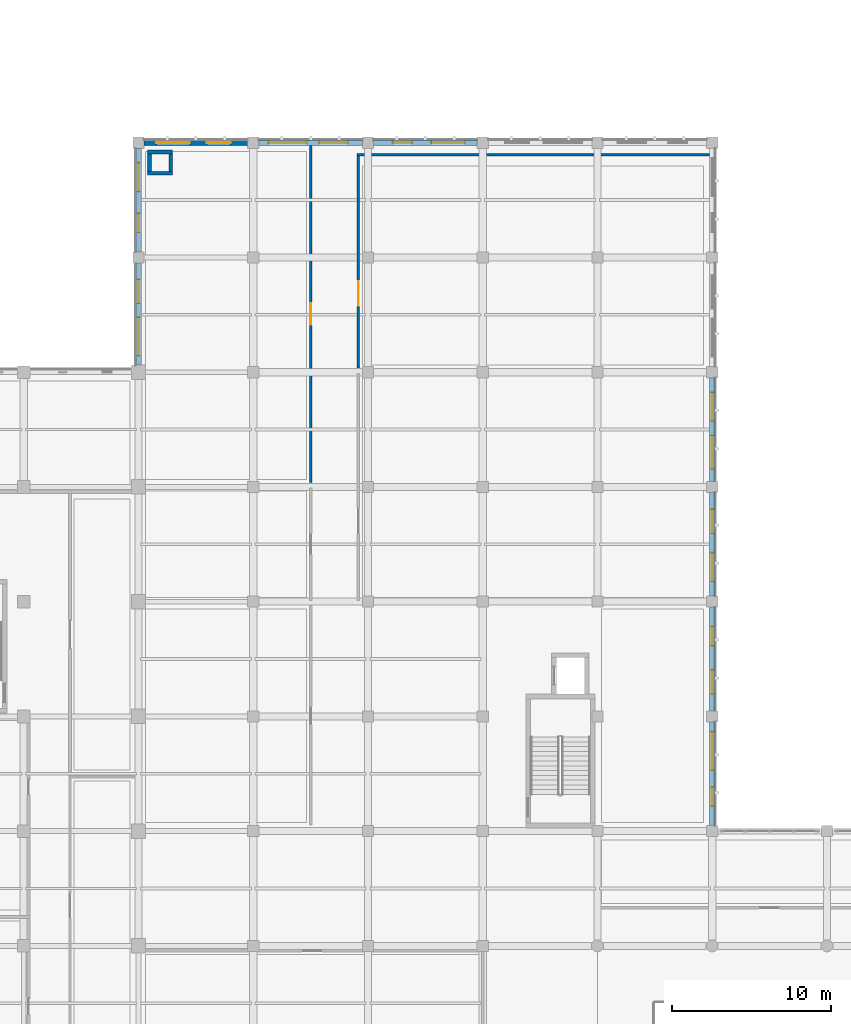
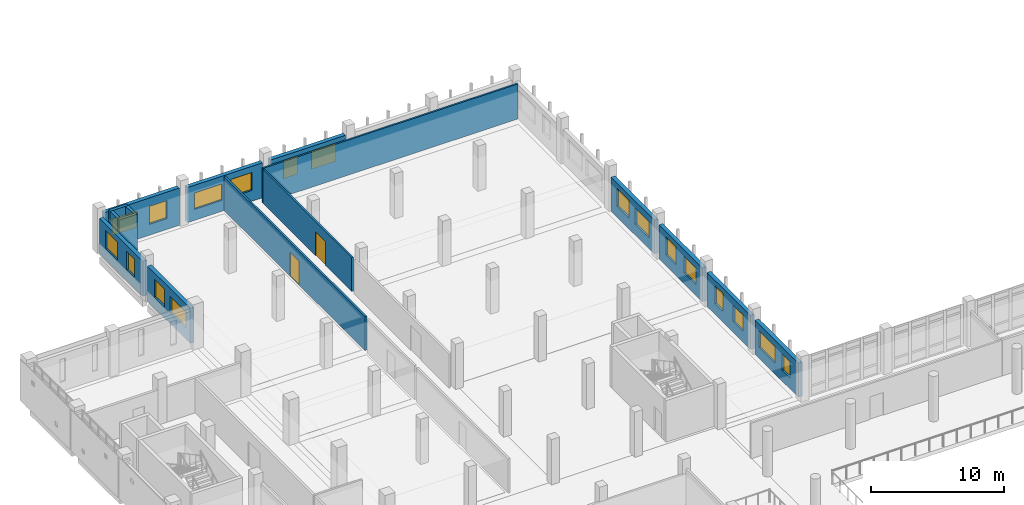
# One storey, part 37 of 57: 18 windows, 16 walls, 2 doors, 20 openings.
"""IFC4 building model written with IfcOpenShell, lengths in metres."""

from ifc_helpers import new_model, si_unit, direction, frame, frame_2d, origin, place, context, subcontext, project, spatial, rectangle, extrude, material, layer, layer_set, type_object, element, fill, save


model = new_model("IFC4")

# Units and contexts
model_context = context("Model", 3, precision=1e-05, world=origin(), true_north=direction((0.0, 1.0)))
body_context = subcontext(model_context, "Body", "Model", "MODEL_VIEW")
ifc_project = project(units=[si_unit("LENGTHUNIT", "METRE"), si_unit("AREAUNIT", "SQUARE_METRE"), si_unit("VOLUMEUNIT", "CUBIC_METRE"), si_unit("PLANEANGLEUNIT", "RADIAN"), si_unit("MASSUNIT", "GRAM", prefix="KILO")], contexts=[model_context])

# Site, building, storey
site_placement = place(None, origin())
site = spatial("IfcSite", under=ifc_project, at=site_placement, CompositionType="ELEMENT")
building_placement = place(site_placement, origin())
building = spatial("IfcBuilding", under=site, at=building_placement, Name="Valkovuoma Quantum and Materials Research Institute", CompositionType="ELEMENT")
storey_placement = place(building_placement, frame((0.0, 0.0, 4.800048828125)))
storey = spatial("IfcBuildingStorey", under=building, at=storey_placement, Name="L01", CompositionType="ELEMENT", Elevation=4.800048828125)

# Wall, openings, windows
ifc_material_1 = material(Name="Precast concrete C40/50", Category="concrete")
ifc_layer_1 = layer(ifc_material_1, 0.340087890625)
ifc_layer_set_1 = layer_set([ifc_layer_1], Name="Precast concrete C40/50")
wall_type_1 = type_object("IfcWallType", Name="Wall-W-EXT340", PredefinedType="SOLIDWALL", material=ifc_layer_set_1)
wall_1_placement = place(storey_placement, frame((14.739990234375, 108.0, 0.0), z_axis=(0.0, 0.0, 1.0), x_axis=(1.0, 0.0, 0.0)))
wall_1 = element("IfcWall", 1, at=wall_1_placement, inside=storey, type_object=wall_type_1, Name="L01 exterior wall 0128", PredefinedType="SOLIDWALL", context=body_context, shape_type="SweptSolid", body=[
    extrude(rectangle(XDim=6.52001953125, YDim=0.340087890625, at=frame_2d((3.260009765625, 0.0))), origin(), (0.0, 0.0, 1.0), 3.419921875),
])
opening_1_placement = place(wall_1_placement, frame((0.775634765625, 0.0, 1.0)))
opening_1 = element("IfcOpeningElement", 2, at=opening_1_placement, cuts=wall_1, Name="Opening WN-CL04", PredefinedType="OPENING", context=body_context, shape_type="SweptSolid", body=[
    extrude(rectangle(XDim=2.10009765625, YDim=1.5, at=frame_2d((1.050048828125, 0.75))), frame((0.0, 0.18017578125, 0.0), z_axis=(0.0, -1.0, 0.0), x_axis=(1.0, 0.0, 0.0)), (0.0, 0.0, 1.0), 0.360107421875),
])
opening_2_placement = place(wall_1_placement, frame((3.9443359375, 0.0, 1.0)))
opening_2 = element("IfcOpeningElement", 3, at=opening_2_placement, cuts=wall_1, Name="Opening WN-CL07", PredefinedType="OPENING", context=body_context, shape_type="SweptSolid", body=[
    extrude(rectangle(XDim=1.5, YDim=1.64990234375, at=frame_2d((0.75, 0.824951171875))), frame((0.0, 0.18017578125, 0.0), z_axis=(0.0, -1.0, 0.0), x_axis=(1.0, 0.0, 0.0)), (0.0, 0.0, 1.0), 0.360107421875),
])
ifc_material_2 = material(Name="Triple low-E argon glazing in thermally broken aluminium frame", Category="aluminium")
window_type_1 = type_object("IfcWindowType", Name="Win-WN-CL04", PartitioningType="SINGLE_PANEL", PredefinedType="WINDOW", material=ifc_material_2)
window_1_placement = place(opening_1_placement, origin())
window_1 = element("IfcWindow", 4, at=window_1_placement, inside=storey, type_object=window_type_1, Name="L01 window 0126", OverallHeight=1.5, OverallWidth=2.10009765625, PartitioningType="SINGLE_PANEL", PredefinedType="WINDOW", context=body_context, shape_type="SweptSolid", body=[
    extrude(rectangle(XDim=2.10009765625, YDim=1.5, at=frame_2d((1.050048828125, 0.75))), frame((0.0, 0.030029296875, 0.0), z_axis=(0.0, -1.0, 0.0), x_axis=(1.0, 0.0, 0.0)), (0.0, 0.0, 1.0), 0.06005859375),
])
fill(opening_1, window_1)
ifc_material_3 = material(Name="Triple low-E argon glazing in thermally broken aluminium frame", Category="aluminium")
window_type_2 = type_object("IfcWindowType", Name="Win-WN-CL07", PartitioningType="SINGLE_PANEL", PredefinedType="WINDOW", material=ifc_material_3)
window_2_placement = place(opening_2_placement, origin())
window_2 = element("IfcWindow", 5, at=window_2_placement, inside=storey, type_object=window_type_2, Name="L01 window 0127", OverallHeight=1.64990234375, OverallWidth=1.5, PartitioningType="SINGLE_PANEL", PredefinedType="WINDOW", context=body_context, shape_type="SweptSolid", body=[
    extrude(rectangle(XDim=1.5, YDim=1.64990234375, at=frame_2d((0.75, 0.824951171875))), frame((0.0, 0.030029296875, 0.0), z_axis=(0.0, -1.0, 0.0), x_axis=(1.0, 0.0, 0.0)), (0.0, 0.0, 1.0), 0.06005859375),
])
fill(opening_2, window_2)

wall_2_placement = place(storey_placement, frame((21.93994140625, 108.0, 0.0), z_axis=(0.0, 0.0, 1.0), x_axis=(1.0, 0.0, 0.0)))
wall_2 = element("IfcWall", 6, at=wall_2_placement, inside=storey, type_object=wall_type_1, Name="L01 exterior wall 0129", PredefinedType="SOLIDWALL", context=body_context, shape_type="SweptSolid", body=[
    extrude(rectangle(XDim=6.52001953125, YDim=0.340087890625, at=frame_2d((3.260009765625, 0.0))), origin(), (0.0, 0.0, 1.0), 3.2099609375),
])
opening_3_placement = place(wall_2_placement, frame((0.62548828125, 0.0, 1.0)))
opening_3 = element("IfcOpeningElement", 7, at=opening_3_placement, cuts=wall_2, Name="Opening WN-CL05", PredefinedType="OPENING", context=body_context, shape_type="SweptSolid", body=[
    extrude(rectangle(XDim=2.39990234375, YDim=1.5, at=frame_2d((1.199951171875, 0.75))), frame((0.0, 0.18017578125, 0.0), z_axis=(0.0, -1.0, 0.0), x_axis=(1.0, 0.0, 0.0)), (0.0, 0.0, 1.0), 0.360107421875),
])
opening_4_placement = place(wall_2_placement, frame((3.79443359375, 0.0, 1.0)))
opening_4 = element("IfcOpeningElement", 8, at=opening_4_placement, cuts=wall_2, Name="Opening WN-CL08", PredefinedType="OPENING", context=body_context, shape_type="SweptSolid", body=[
    extrude(rectangle(XDim=1.800048828125, YDim=1.64990234375, at=frame_2d((0.89990234375, 0.824951171875))), frame((0.0, 0.18017578125, 0.0), z_axis=(0.0, -1.0, 0.0), x_axis=(1.0, 0.0, 0.0)), (0.0, 0.0, 1.0), 0.360107421875),
])
ifc_material_4 = material(Name="Triple low-E argon glazing in thermally broken aluminium frame", Category="aluminium")
window_type_3 = type_object("IfcWindowType", Name="Win-WN-CL05", PartitioningType="SINGLE_PANEL", PredefinedType="WINDOW", material=ifc_material_4)
window_3_placement = place(opening_3_placement, origin())
window_3 = element("IfcWindow", 9, at=window_3_placement, inside=storey, type_object=window_type_3, Name="L01 window 0128", OverallHeight=1.5, OverallWidth=2.39990234375, PartitioningType="SINGLE_PANEL", PredefinedType="WINDOW", context=body_context, shape_type="SweptSolid", body=[
    extrude(rectangle(XDim=2.39990234375, YDim=1.5, at=frame_2d((1.199951171875, 0.75))), frame((0.0, 0.030029296875, 0.0), z_axis=(0.0, -1.0, 0.0), x_axis=(1.0, 0.0, 0.0)), (0.0, 0.0, 1.0), 0.06005859375),
])
fill(opening_3, window_3)
ifc_material_5 = material(Name="Triple low-E argon glazing in thermally broken aluminium frame", Category="aluminium")
window_type_4 = type_object("IfcWindowType", Name="Win-WN-CL08", PartitioningType="SINGLE_PANEL", PredefinedType="WINDOW", material=ifc_material_5)
window_4_placement = place(opening_4_placement, origin())
window_4 = element("IfcWindow", 10, at=window_4_placement, inside=storey, type_object=window_type_4, Name="L01 window 0129", OverallHeight=1.64990234375, OverallWidth=1.800048828125, PartitioningType="SINGLE_PANEL", PredefinedType="WINDOW", context=body_context, shape_type="SweptSolid", body=[
    extrude(rectangle(XDim=1.800048828125, YDim=1.64990234375, at=frame_2d((0.89990234375, 0.824951171875))), frame((0.0, 0.030029296875, 0.0), z_axis=(0.0, -1.0, 0.0), x_axis=(1.0, 0.0, 0.0)), (0.0, 0.0, 1.0), 0.06005859375),
])
fill(opening_4, window_4)

wall_3_placement = place(storey_placement, frame((29.139892578125, 108.0, 0.0), z_axis=(0.0, 0.0, 1.0), x_axis=(1.0, 0.0, 0.0)))
wall_3 = element("IfcWall", 11, at=wall_3_placement, inside=storey, type_object=wall_type_1, Name="L01 exterior wall 0130", PredefinedType="SOLIDWALL", context=body_context, shape_type="SweptSolid", body=[
    extrude(rectangle(XDim=6.52001953125, YDim=0.340087890625, at=frame_2d((3.260009765625, 0.0))), origin(), (0.0, 0.0, 1.0), 3.2099609375),
])
opening_5_placement = place(wall_3_placement, frame((1.2255859375, 0.0, 1.0)))
opening_5 = element("IfcOpeningElement", 12, at=opening_5_placement, cuts=wall_3, Name="Opening WN-CL06", PredefinedType="OPENING", context=body_context, shape_type="SweptSolid", body=[
    extrude(rectangle(XDim=1.199951171875, YDim=1.64990234375, at=frame_2d((0.60009765625, 0.824951171875))), frame((0.0, 0.18017578125, 0.0), z_axis=(0.0, -1.0, 0.0), x_axis=(1.0, 0.0, 0.0)), (0.0, 0.0, 1.0), 0.360107421875),
])
opening_6_placement = place(wall_3_placement, frame((3.644287109375, 0.0, 1.0)))
opening_6 = element("IfcOpeningElement", 13, at=opening_6_placement, cuts=wall_3, Name="Opening WN-CL09", PredefinedType="OPENING", context=body_context, shape_type="SweptSolid", body=[
    extrude(rectangle(XDim=2.10009765625, YDim=1.64990234375, at=frame_2d((1.050048828125, 0.824951171875))), frame((0.0, 0.18017578125, 0.0), z_axis=(0.0, -1.0, 0.0), x_axis=(1.0, 0.0, 0.0)), (0.0, 0.0, 1.0), 0.360107421875),
])
ifc_material_6 = material(Name="Triple low-E argon glazing in thermally broken aluminium frame", Category="aluminium")
window_type_5 = type_object("IfcWindowType", Name="Win-WN-CL06", PartitioningType="SINGLE_PANEL", PredefinedType="WINDOW", material=ifc_material_6)
window_5_placement = place(opening_5_placement, origin())
window_5 = element("IfcWindow", 14, at=window_5_placement, inside=storey, type_object=window_type_5, Name="L01 window 0130", OverallHeight=1.64990234375, OverallWidth=1.199951171875, PartitioningType="SINGLE_PANEL", PredefinedType="WINDOW", context=body_context, shape_type="SweptSolid", body=[
    extrude(rectangle(XDim=1.199951171875, YDim=1.64990234375, at=frame_2d((0.60009765625, 0.824951171875))), frame((0.0, 0.030029296875, 0.0), z_axis=(0.0, -1.0, 0.0), x_axis=(1.0, 0.0, 0.0)), (0.0, 0.0, 1.0), 0.06005859375),
])
fill(opening_5, window_5)
ifc_material_7 = material(Name="Triple low-E argon glazing in thermally broken aluminium frame", Category="aluminium")
window_type_6 = type_object("IfcWindowType", Name="Win-WN-CL09", PartitioningType="SINGLE_PANEL", PredefinedType="WINDOW", material=ifc_material_7)
window_6_placement = place(opening_6_placement, origin())
window_6 = element("IfcWindow", 15, at=window_6_placement, inside=storey, type_object=window_type_6, Name="L01 window 0131", OverallHeight=1.64990234375, OverallWidth=2.10009765625, PartitioningType="SINGLE_PANEL", PredefinedType="WINDOW", context=body_context, shape_type="SweptSolid", body=[
    extrude(rectangle(XDim=2.10009765625, YDim=1.64990234375, at=frame_2d((1.050048828125, 0.824951171875))), frame((0.0, 0.030029296875, 0.0), z_axis=(0.0, -1.0, 0.0), x_axis=(1.0, 0.0, 0.0)), (0.0, 0.0, 1.0), 0.06005859375),
])
fill(opening_6, window_6)

wall_4_placement = place(storey_placement, frame((50.39990234375, 65.139892578125, 0.0), z_axis=(0.0, 0.0, 1.0), x_axis=(0.0, 1.0, 0.0)))
wall_4 = element("IfcWall", 16, at=wall_4_placement, inside=storey, type_object=wall_type_1, Name="L01 exterior wall 0133", PredefinedType="SOLIDWALL", context=body_context, shape_type="SweptSolid", body=[
    extrude(rectangle(XDim=6.52001953125, YDim=0.340087890625, at=frame_2d((3.260009765625, 0.0))), origin(), (0.0, 0.0, 1.0), 3.10986328125),
])
opening_7_placement = place(wall_4_placement, frame((1.2255859375, 0.0, 1.0)))
opening_7 = element("IfcOpeningElement", 17, at=opening_7_placement, cuts=wall_4, Name="Opening WN-CL01", PredefinedType="OPENING", context=body_context, shape_type="SweptSolid", body=[
    extrude(rectangle(XDim=1.199951171875, YDim=1.5, at=frame_2d((0.60009765625, 0.75))), frame((0.0, 0.18017578125, 0.0), z_axis=(0.0, -1.0, 0.0), x_axis=(1.0, 0.0, 0.0)), (0.0, 0.0, 1.0), 0.360107421875),
])
opening_8_placement = place(wall_4_placement, frame((3.494384765625, 0.0, 1.0)))
opening_8 = element("IfcOpeningElement", 18, at=opening_8_placement, cuts=wall_4, Name="Opening WN-CL05", PredefinedType="OPENING", context=body_context, shape_type="SweptSolid", body=[
    extrude(rectangle(XDim=2.39990234375, YDim=1.5, at=frame_2d((1.199951171875, 0.75))), frame((0.0, 0.18017578125, 0.0), z_axis=(0.0, -1.0, 0.0), x_axis=(1.0, 0.0, 0.0)), (0.0, 0.0, 1.0), 0.360107421875),
])
ifc_material_8 = material(Name="Triple low-E argon glazing in thermally broken aluminium frame", Category="aluminium")
window_type_7 = type_object("IfcWindowType", Name="Win-WN-CL01", PartitioningType="SINGLE_PANEL", PredefinedType="WINDOW", material=ifc_material_8)
window_7_placement = place(opening_7_placement, origin())
window_7 = element("IfcWindow", 19, at=window_7_placement, inside=storey, type_object=window_type_7, Name="L01 window 0136", OverallHeight=1.5, OverallWidth=1.199951171875, PartitioningType="SINGLE_PANEL", PredefinedType="WINDOW", context=body_context, shape_type="SweptSolid", body=[
    extrude(rectangle(XDim=1.199951171875, YDim=1.5, at=frame_2d((0.60009765625, 0.75))), frame((0.0, 0.030029296875, 0.0), z_axis=(0.0, -1.0, 0.0), x_axis=(1.0, 0.0, 0.0)), (0.0, 0.0, 1.0), 0.06005859375),
])
fill(opening_7, window_7)
window_8_placement = place(opening_8_placement, origin())
window_8 = element("IfcWindow", 20, at=window_8_placement, inside=storey, type_object=window_type_3, Name="L01 window 0137", OverallHeight=1.5, OverallWidth=2.39990234375, PartitioningType="SINGLE_PANEL", PredefinedType="WINDOW", context=body_context, shape_type="SweptSolid", body=[
    extrude(rectangle(XDim=2.39990234375, YDim=1.5, at=frame_2d((1.199951171875, 0.75))), frame((0.0, 0.030029296875, 0.0), z_axis=(0.0, -1.0, 0.0), x_axis=(1.0, 0.0, 0.0)), (0.0, 0.0, 1.0), 0.06005859375),
])
fill(opening_8, window_8)

wall_5_placement = place(storey_placement, frame((50.39990234375, 72.340087890625, 0.0), z_axis=(0.0, 0.0, 1.0), x_axis=(0.0, 1.0, 0.0)))
wall_5 = element("IfcWall", 21, at=wall_5_placement, inside=storey, type_object=wall_type_1, Name="L01 exterior wall 0134", PredefinedType="SOLIDWALL", context=body_context, shape_type="SweptSolid", body=[
    extrude(rectangle(XDim=6.52001953125, YDim=0.340087890625, at=frame_2d((3.260009765625, 0.0))), origin(), (0.0, 0.0, 1.0), 3.10986328125),
])
opening_9_placement = place(wall_5_placement, frame((1.07568359375, 0.0, 1.0)))
opening_9 = element("IfcOpeningElement", 22, at=opening_9_placement, cuts=wall_5, Name="Opening WN-CL02", PredefinedType="OPENING", context=body_context, shape_type="SweptSolid", body=[
    extrude(rectangle(XDim=1.5, YDim=1.5, at=frame_2d((0.75, 0.75))), frame((0.0, 0.18017578125, 0.0), z_axis=(0.0, -1.0, 0.0), x_axis=(1.0, 0.0, 0.0)), (0.0, 0.0, 1.0), 0.360107421875),
])
opening_10_placement = place(wall_5_placement, frame((4.094482421875, 0.0, 1.0)))
opening_10 = element("IfcOpeningElement", 23, at=opening_10_placement, cuts=wall_5, Name="Opening WN-CL06", PredefinedType="OPENING", context=body_context, shape_type="SweptSolid", body=[
    extrude(rectangle(XDim=1.199951171875, YDim=1.64990234375, at=frame_2d((0.60009765625, 0.824951171875))), frame((0.0, 0.18017578125, 0.0), z_axis=(0.0, -1.0, 0.0), x_axis=(1.0, 0.0, 0.0)), (0.0, 0.0, 1.0), 0.360107421875),
])
ifc_material_9 = material(Name="Triple low-E argon glazing in thermally broken aluminium frame", Category="aluminium")
window_type_8 = type_object("IfcWindowType", Name="Win-WN-CL02", PartitioningType="SINGLE_PANEL", PredefinedType="WINDOW", material=ifc_material_9)
window_9_placement = place(opening_9_placement, origin())
window_9 = element("IfcWindow", 24, at=window_9_placement, inside=storey, type_object=window_type_8, Name="L01 window 0138", OverallHeight=1.5, OverallWidth=1.5, PartitioningType="SINGLE_PANEL", PredefinedType="WINDOW", context=body_context, shape_type="SweptSolid", body=[
    extrude(rectangle(XDim=1.5, YDim=1.5, at=frame_2d((0.75, 0.75))), frame((0.0, 0.030029296875, 0.0), z_axis=(0.0, -1.0, 0.0), x_axis=(1.0, 0.0, 0.0)), (0.0, 0.0, 1.0), 0.06005859375),
])
fill(opening_9, window_9)
window_10_placement = place(opening_10_placement, origin())
window_10 = element("IfcWindow", 25, at=window_10_placement, inside=storey, type_object=window_type_5, Name="L01 window 0139", OverallHeight=1.64990234375, OverallWidth=1.199951171875, PartitioningType="SINGLE_PANEL", PredefinedType="WINDOW", context=body_context, shape_type="SweptSolid", body=[
    extrude(rectangle(XDim=1.199951171875, YDim=1.64990234375, at=frame_2d((0.60009765625, 0.824951171875))), frame((0.0, 0.030029296875, 0.0), z_axis=(0.0, -1.0, 0.0), x_axis=(1.0, 0.0, 0.0)), (0.0, 0.0, 1.0), 0.06005859375),
])
fill(opening_10, window_10)

wall_6_placement = place(storey_placement, frame((50.39990234375, 79.5400390625, 0.0), z_axis=(0.0, 0.0, 1.0), x_axis=(0.0, 1.0, 0.0)))
wall_6 = element("IfcWall", 26, at=wall_6_placement, inside=storey, type_object=wall_type_1, Name="L01 exterior wall 0135", PredefinedType="SOLIDWALL", context=body_context, shape_type="SweptSolid", body=[
    extrude(rectangle(XDim=6.52001953125, YDim=0.340087890625, at=frame_2d((3.260009765625, 0.0))), origin(), (0.0, 0.0, 1.0), 3.10986328125),
])
opening_11_placement = place(wall_6_placement, frame((0.925537109375, 0.0, 1.0)))
opening_11 = element("IfcOpeningElement", 27, at=opening_11_placement, cuts=wall_6, Name="Opening WN-CL03", PredefinedType="OPENING", context=body_context, shape_type="SweptSolid", body=[
    extrude(rectangle(XDim=1.800048828125, YDim=1.5, at=frame_2d((0.89990234375, 0.75))), frame((0.0, 0.18017578125, 0.0), z_axis=(0.0, -1.0, 0.0), x_axis=(1.0, 0.0, 0.0)), (0.0, 0.0, 1.0), 0.360107421875),
])
opening_12_placement = place(wall_6_placement, frame((3.9443359375, 0.0, 1.0)))
opening_12 = element("IfcOpeningElement", 28, at=opening_12_placement, cuts=wall_6, Name="Opening WN-CL07", PredefinedType="OPENING", context=body_context, shape_type="SweptSolid", body=[
    extrude(rectangle(XDim=1.5, YDim=1.64990234375, at=frame_2d((0.75, 0.824951171875))), frame((0.0, 0.18017578125, 0.0), z_axis=(0.0, -1.0, 0.0), x_axis=(1.0, 0.0, 0.0)), (0.0, 0.0, 1.0), 0.360107421875),
])
ifc_material_10 = material(Name="Triple low-E argon glazing in thermally broken aluminium frame", Category="aluminium")
window_type_9 = type_object("IfcWindowType", Name="Win-WN-CL03", PartitioningType="SINGLE_PANEL", PredefinedType="WINDOW", material=ifc_material_10)
window_11_placement = place(opening_11_placement, origin())
window_11 = element("IfcWindow", 29, at=window_11_placement, inside=storey, type_object=window_type_9, Name="L01 window 0140", OverallHeight=1.5, OverallWidth=1.800048828125, PartitioningType="SINGLE_PANEL", PredefinedType="WINDOW", context=body_context, shape_type="SweptSolid", body=[
    extrude(rectangle(XDim=1.800048828125, YDim=1.5, at=frame_2d((0.89990234375, 0.75))), frame((0.0, 0.030029296875, 0.0), z_axis=(0.0, -1.0, 0.0), x_axis=(1.0, 0.0, 0.0)), (0.0, 0.0, 1.0), 0.06005859375),
])
fill(opening_11, window_11)
window_12_placement = place(opening_12_placement, origin())
window_12 = element("IfcWindow", 30, at=window_12_placement, inside=storey, type_object=window_type_2, Name="L01 window 0141", OverallHeight=1.64990234375, OverallWidth=1.5, PartitioningType="SINGLE_PANEL", PredefinedType="WINDOW", context=body_context, shape_type="SweptSolid", body=[
    extrude(rectangle(XDim=1.5, YDim=1.64990234375, at=frame_2d((0.75, 0.824951171875))), frame((0.0, 0.030029296875, 0.0), z_axis=(0.0, -1.0, 0.0), x_axis=(1.0, 0.0, 0.0)), (0.0, 0.0, 1.0), 0.06005859375),
])
fill(opening_12, window_12)

wall_7_placement = place(storey_placement, frame((50.39990234375, 86.739990234375, 0.0), z_axis=(0.0, 0.0, 1.0), x_axis=(0.0, 1.0, 0.0)))
wall_7 = element("IfcWall", 31, at=wall_7_placement, inside=storey, type_object=wall_type_1, Name="L01 exterior wall 0136", PredefinedType="SOLIDWALL", context=body_context, shape_type="SweptSolid", body=[
    extrude(rectangle(XDim=6.52001953125, YDim=0.340087890625, at=frame_2d((3.260009765625, 0.0))), origin(), (0.0, 0.0, 1.0), 3.10986328125),
])
opening_13_placement = place(wall_7_placement, frame((0.775634765625, 0.0, 1.0)))
opening_13 = element("IfcOpeningElement", 32, at=opening_13_placement, cuts=wall_7, Name="Opening WN-CL04", PredefinedType="OPENING", context=body_context, shape_type="SweptSolid", body=[
    extrude(rectangle(XDim=2.10009765625, YDim=1.5, at=frame_2d((1.050048828125, 0.75))), frame((0.0, 0.18017578125, 0.0), z_axis=(0.0, -1.0, 0.0), x_axis=(1.0, 0.0, 0.0)), (0.0, 0.0, 1.0), 0.360107421875),
])
opening_14_placement = place(wall_7_placement, frame((3.79443359375, 0.0, 1.0)))
opening_14 = element("IfcOpeningElement", 33, at=opening_14_placement, cuts=wall_7, Name="Opening WN-CL08", PredefinedType="OPENING", context=body_context, shape_type="SweptSolid", body=[
    extrude(rectangle(XDim=1.800048828125, YDim=1.64990234375, at=frame_2d((0.89990234375, 0.824951171875))), frame((0.0, 0.18017578125, 0.0), z_axis=(0.0, -1.0, 0.0), x_axis=(1.0, 0.0, 0.0)), (0.0, 0.0, 1.0), 0.360107421875),
])
window_13_placement = place(opening_13_placement, origin())
window_13 = element("IfcWindow", 34, at=window_13_placement, inside=storey, type_object=window_type_1, Name="L01 window 0142", OverallHeight=1.5, OverallWidth=2.10009765625, PartitioningType="SINGLE_PANEL", PredefinedType="WINDOW", context=body_context, shape_type="SweptSolid", body=[
    extrude(rectangle(XDim=2.10009765625, YDim=1.5, at=frame_2d((1.050048828125, 0.75))), frame((0.0, 0.030029296875, 0.0), z_axis=(0.0, -1.0, 0.0), x_axis=(1.0, 0.0, 0.0)), (0.0, 0.0, 1.0), 0.06005859375),
])
fill(opening_13, window_13)
window_14_placement = place(opening_14_placement, origin())
window_14 = element("IfcWindow", 35, at=window_14_placement, inside=storey, type_object=window_type_4, Name="L01 window 0143", OverallHeight=1.64990234375, OverallWidth=1.800048828125, PartitioningType="SINGLE_PANEL", PredefinedType="WINDOW", context=body_context, shape_type="SweptSolid", body=[
    extrude(rectangle(XDim=1.800048828125, YDim=1.64990234375, at=frame_2d((0.89990234375, 0.824951171875))), frame((0.0, 0.030029296875, 0.0), z_axis=(0.0, -1.0, 0.0), x_axis=(1.0, 0.0, 0.0)), (0.0, 0.0, 1.0), 0.06005859375),
])
fill(opening_14, window_14)

wall_8_placement = place(storey_placement, frame((14.39990234375, 94.0400390625, 0.0), z_axis=(0.0, 0.0, 1.0), x_axis=(0.0, 1.0, 0.0)))
wall_8 = element("IfcWall", 36, at=wall_8_placement, inside=storey, type_object=wall_type_1, Name="L01 exterior wall 0139", PredefinedType="SOLIDWALL", context=body_context, shape_type="SweptSolid", body=[
    extrude(rectangle(XDim=6.419921875, YDim=0.340087890625, at=frame_2d((3.2099609375, 0.0))), origin(), (0.0, 0.0, 1.0), 3.2099609375),
])
opening_15_placement = place(wall_8_placement, frame((0.59765625, 0.0, 1.0)))
opening_15 = element("IfcOpeningElement", 37, at=opening_15_placement, cuts=wall_8, Name="Opening WN-CL05", PredefinedType="OPENING", context=body_context, shape_type="SweptSolid", body=[
    extrude(rectangle(XDim=2.39990234375, YDim=1.5, at=frame_2d((1.199951171875, 0.75))), frame((0.0, 0.18017578125, 0.0), z_axis=(0.0, -1.0, 0.0), x_axis=(1.0, 0.0, 0.0)), (0.0, 0.0, 1.0), 0.360107421875),
])
opening_16_placement = place(wall_8_placement, frame((3.872314453125, 0.0, 1.0)))
opening_16 = element("IfcOpeningElement", 38, at=opening_16_placement, cuts=wall_8, Name="Opening WN-CL07", PredefinedType="OPENING", context=body_context, shape_type="SweptSolid", body=[
    extrude(rectangle(XDim=1.5, YDim=1.64990234375, at=frame_2d((0.75, 0.824951171875))), frame((0.0, 0.18017578125, 0.0), z_axis=(0.0, -1.0, 0.0), x_axis=(1.0, 0.0, 0.0)), (0.0, 0.0, 1.0), 0.360107421875),
])
window_15_placement = place(opening_15_placement, origin())
window_15 = element("IfcWindow", 39, at=window_15_placement, inside=storey, type_object=window_type_3, Name="L01 window 0148", OverallHeight=1.5, OverallWidth=2.39990234375, PartitioningType="SINGLE_PANEL", PredefinedType="WINDOW", context=body_context, shape_type="SweptSolid", body=[
    extrude(rectangle(XDim=2.39990234375, YDim=1.5, at=frame_2d((1.199951171875, 0.75))), frame((0.0, 0.030029296875, 0.0), z_axis=(0.0, -1.0, 0.0), x_axis=(1.0, 0.0, 0.0)), (0.0, 0.0, 1.0), 0.06005859375),
])
fill(opening_15, window_15)
window_16_placement = place(opening_16_placement, origin())
window_16 = element("IfcWindow", 40, at=window_16_placement, inside=storey, type_object=window_type_2, Name="L01 window 0149", OverallHeight=1.64990234375, OverallWidth=1.5, PartitioningType="SINGLE_PANEL", PredefinedType="WINDOW", context=body_context, shape_type="SweptSolid", body=[
    extrude(rectangle(XDim=1.5, YDim=1.64990234375, at=frame_2d((0.75, 0.824951171875))), frame((0.0, 0.030029296875, 0.0), z_axis=(0.0, -1.0, 0.0), x_axis=(1.0, 0.0, 0.0)), (0.0, 0.0, 1.0), 0.06005859375),
])
fill(opening_16, window_16)

wall_9_placement = place(storey_placement, frame((14.39990234375, 101.139892578125, 0.0), z_axis=(0.0, 0.0, 1.0), x_axis=(0.0, 1.0, 0.0)))
wall_9 = element("IfcWall", 41, at=wall_9_placement, inside=storey, type_object=wall_type_1, Name="L01 exterior wall 0140", PredefinedType="SOLIDWALL", context=body_context, shape_type="SweptSolid", body=[
    extrude(rectangle(XDim=6.52001953125, YDim=0.340087890625, at=frame_2d((3.260009765625, 0.0))), origin(), (0.0, 0.0, 1.0), 3.2099609375),
])
opening_17_placement = place(wall_9_placement, frame((1.2255859375, 0.0, 1.0)))
opening_17 = element("IfcOpeningElement", 42, at=opening_17_placement, cuts=wall_9, Name="Opening WN-CL06", PredefinedType="OPENING", context=body_context, shape_type="SweptSolid", body=[
    extrude(rectangle(XDim=1.199951171875, YDim=1.64990234375, at=frame_2d((0.60009765625, 0.824951171875))), frame((0.0, 0.18017578125, 0.0), z_axis=(0.0, -1.0, 0.0), x_axis=(1.0, 0.0, 0.0)), (0.0, 0.0, 1.0), 0.360107421875),
])
opening_18_placement = place(wall_9_placement, frame((3.79443359375, 0.0, 1.0)))
opening_18 = element("IfcOpeningElement", 43, at=opening_18_placement, cuts=wall_9, Name="Opening WN-CL08", PredefinedType="OPENING", context=body_context, shape_type="SweptSolid", body=[
    extrude(rectangle(XDim=1.800048828125, YDim=1.64990234375, at=frame_2d((0.89990234375, 0.824951171875))), frame((0.0, 0.18017578125, 0.0), z_axis=(0.0, -1.0, 0.0), x_axis=(1.0, 0.0, 0.0)), (0.0, 0.0, 1.0), 0.360107421875),
])
window_17_placement = place(opening_17_placement, origin())
window_17 = element("IfcWindow", 44, at=window_17_placement, inside=storey, type_object=window_type_5, Name="L01 window 0150", OverallHeight=1.64990234375, OverallWidth=1.199951171875, PartitioningType="SINGLE_PANEL", PredefinedType="WINDOW", context=body_context, shape_type="SweptSolid", body=[
    extrude(rectangle(XDim=1.199951171875, YDim=1.64990234375, at=frame_2d((0.60009765625, 0.824951171875))), frame((0.0, 0.030029296875, 0.0), z_axis=(0.0, -1.0, 0.0), x_axis=(1.0, 0.0, 0.0)), (0.0, 0.0, 1.0), 0.06005859375),
])
fill(opening_17, window_17)
window_18_placement = place(opening_18_placement, origin())
window_18 = element("IfcWindow", 45, at=window_18_placement, inside=storey, type_object=window_type_4, Name="L01 window 0151", OverallHeight=1.64990234375, OverallWidth=1.800048828125, PartitioningType="SINGLE_PANEL", PredefinedType="WINDOW", context=body_context, shape_type="SweptSolid", body=[
    extrude(rectangle(XDim=1.800048828125, YDim=1.64990234375, at=frame_2d((0.89990234375, 0.824951171875))), frame((0.0, 0.030029296875, 0.0), z_axis=(0.0, -1.0, 0.0), x_axis=(1.0, 0.0, 0.0)), (0.0, 0.0, 1.0), 0.06005859375),
])
fill(opening_18, window_18)

# Wall
ifc_material_11 = material(Name="Acoustic write-up studio partition", Category="masonry")
ifc_layer_2 = layer(ifc_material_11, 0.14990234375)
ifc_layer_set_2 = layer_set([ifc_layer_2], Name="Acoustic write-up studio partition")
wall_type_2 = type_object("IfcWallType", Name="Wall-W-PRT150", PredefinedType="PARTITIONING", material=ifc_layer_set_2)
wall_10_placement = place(storey_placement, frame((28.125, 107.25439453125, 0.0), z_axis=(0.0, 0.0, 1.0), x_axis=(1.0, 0.0, 0.0)))
element("IfcWall", 46, at=wall_10_placement, inside=storey, type_object=wall_type_2, Name="L01 partition 0089", PredefinedType="PARTITIONING", context=body_context, shape_type="SweptSolid", body=[
    extrude(rectangle(XDim=22.10498046875, YDim=0.14990234375, at=frame_2d((11.052490234375, 0.0))), origin(), (0.0, 0.0, 1.0), 3.2099609375),
])

# Wall, opening, door
wall_11_placement = place(storey_placement, frame((28.199951171875, 93.875, 0.0), z_axis=(0.0, 0.0, 1.0), x_axis=(0.0, 1.0, 0.0)))
wall_11 = element("IfcWall", 47, at=wall_11_placement, inside=storey, type_object=wall_type_2, Name="L01 partition 0090", PredefinedType="PARTITIONING", context=body_context, shape_type="SweptSolid", body=[
    extrude(rectangle(XDim=13.304443359375, YDim=0.14990234375, at=frame_2d((6.65234375, 0.0))), origin(), (0.0, 0.0, 1.0), 3.10986328125),
])
opening_19_placement = place(wall_11_placement, frame((3.8916015625, 0.0, 0.0)))
opening_19 = element("IfcOpeningElement", 48, at=opening_19_placement, cuts=wall_11, Name="Opening ID-0065", PredefinedType="OPENING", context=body_context, shape_type="SweptSolid", body=[
    extrude(rectangle(XDim=1.530029296875, YDim=2.179931640625, at=frame_2d((0.76513671875, 1.08984375))), frame((0.0, 0.0849609375, 0.0), z_axis=(0.0, -1.0, 0.0), x_axis=(1.0, 0.0, 0.0)), (0.0, 0.0, 1.0), 0.169921875),
])
ifc_material_12 = material(Name="Powder-coated steel and acoustic timber door assembly", Category="steel")
door_type_1 = type_object("IfcDoorType", Name="Door-DR-RM13", OperationType="NOTDEFINED", PredefinedType="DOOR", material=ifc_material_12)
door_1_placement = place(opening_19_placement, origin())
door_1 = element("IfcDoor", 49, at=door_1_placement, inside=storey, type_object=door_type_1, Name="L01 room door 0065", OperationType="SINGLE_SWING_RIGHT", OverallHeight=2.179931640625, OverallWidth=1.530029296875, PredefinedType="DOOR", context=body_context, shape_type="SweptSolid", body=[
    extrude(rectangle(XDim=1.530029296875, YDim=2.179931640625, at=frame_2d((0.76513671875, 1.08984375))), frame((0.0, 0.02490234375, 0.0), z_axis=(0.0, -1.0, 0.0), x_axis=(1.0, 0.0, 0.0)), (0.0, 0.0, 1.0), 0.050048828125),
])
fill(opening_19, door_1)

ifc_material_13 = material(Name="Cleanroom insulated metal-faced partition", Category="masonry")
ifc_layer_3 = layer(ifc_material_13, 0.159912109375)
ifc_layer_set_3 = layer_set([ifc_layer_3], Name="Cleanroom insulated metal-faced partition")
wall_type_3 = type_object("IfcWallType", Name="Wall-W-PRT160", PredefinedType="PARTITIONING", material=ifc_layer_set_3)
wall_12_placement = place(storey_placement, frame((25.199951171875, 86.679931640625, 0.0), z_axis=(0.0, 0.0, 1.0), x_axis=(0.0, 1.0, 0.0)))
wall_12 = element("IfcWall", 50, at=wall_12_placement, inside=storey, type_object=wall_type_3, Name="L01 partition 0087", PredefinedType="PARTITIONING", context=body_context, shape_type="SweptSolid", body=[
    extrude(rectangle(XDim=21.150146484375, YDim=0.159912109375, at=frame_2d((10.5751953125, 0.0))), origin(), (0.0, 0.0, 1.0), 3.10986328125),
])
opening_20_placement = place(wall_12_placement, frame((9.89990234375, 0.0, 0.0)))
opening_20 = element("IfcOpeningElement", 51, at=opening_20_placement, cuts=wall_12, Name="Opening ID-0063", PredefinedType="OPENING", context=body_context, shape_type="SweptSolid", body=[
    extrude(rectangle(XDim=1.35009765625, YDim=2.199951171875, at=frame_2d((0.675048828125, 1.10009765625))), frame((0.0, 0.08984375, 0.0), z_axis=(0.0, -1.0, 0.0), x_axis=(1.0, 0.0, 0.0)), (0.0, 0.0, 1.0), 0.179931640625),
])
ifc_material_14 = material(Name="Powder-coated steel and acoustic timber door assembly", Category="steel")
door_type_2 = type_object("IfcDoorType", Name="Door-DR-CL03", OperationType="NOTDEFINED", PredefinedType="DOOR", material=ifc_material_14)
door_2_placement = place(opening_20_placement, origin())
door_2 = element("IfcDoor", 52, at=door_2_placement, inside=storey, type_object=door_type_2, Name="L01 room door 0063", OperationType="SINGLE_SWING_RIGHT", OverallHeight=2.199951171875, OverallWidth=1.35009765625, PredefinedType="DOOR", context=body_context, shape_type="SweptSolid", body=[
    extrude(rectangle(XDim=1.35009765625, YDim=2.199951171875, at=frame_2d((0.675048828125, 1.10009765625))), frame((0.0, 0.02490234375, 0.0), z_axis=(0.0, -1.0, 0.0), x_axis=(1.0, 0.0, 0.0)), (0.0, 0.0, 1.0), 0.050048828125),
])
fill(opening_20, door_2)

# Walls
ifc_material_15 = material(Name="Concrete C40/50", Category="concrete")
ifc_layer_4 = layer(ifc_material_15, 0.239990234375)
ifc_layer_set_4 = layer_set([ifc_layer_4], Name="Concrete C40/50")
wall_type_4 = type_object("IfcWallType", Name="Wall-W-SHF240", PredefinedType="SOLIDWALL", material=ifc_layer_set_4)
for number, where, z_axis, x_axis, name in (
    (53, (14.9599609375, 106.080078125, 0.0), (0.0, 0.0, 1.0), (1.0, 0.0, 0.0), "L01 core wall 0309"),
    (54, (14.9599609375, 107.419921875, 0.0), (0.0, 0.0, 1.0), (1.0, 0.0, 0.0), "L01 core wall 0310"),
):
    element("IfcWall", number, at=place(storey_placement, frame(where, z_axis=z_axis, x_axis=x_axis)), inside=storey, type_object=wall_type_4, Name=name, PredefinedType="SOLIDWALL", context=body_context, shape_type="SweptSolid", body=[
        extrude(rectangle(XDim=1.580078125, YDim=0.239990234375, at=frame_2d((0.7900390625, 0.0))), origin(), (0.0, 0.0, 1.0), 3.81005859375),
    ])
for number, where, z_axis, x_axis, name in (
    (55, (15.080078125, 106.199951171875, 0.0), (0.0, 0.0, 1.0), (0.0, 1.0, 0.0), "L01 core wall 0311"),
    (56, (16.419921875, 106.199951171875, 0.0), (0.0, 0.0, 1.0), (0.0, 1.0, 0.0), "L01 core wall 0312"),
):
    element("IfcWall", number, at=place(storey_placement, frame(where, z_axis=z_axis, x_axis=x_axis)), inside=storey, type_object=wall_type_4, Name=name, PredefinedType="SOLIDWALL", context=body_context, shape_type="SweptSolid", body=[
        extrude(rectangle(XDim=1.10009765625, YDim=0.239990234375, at=frame_2d((0.550048828125, 0.0))), origin(), (0.0, 0.0, 1.0), 3.81005859375),
    ])

save(model, "model.ifc")
